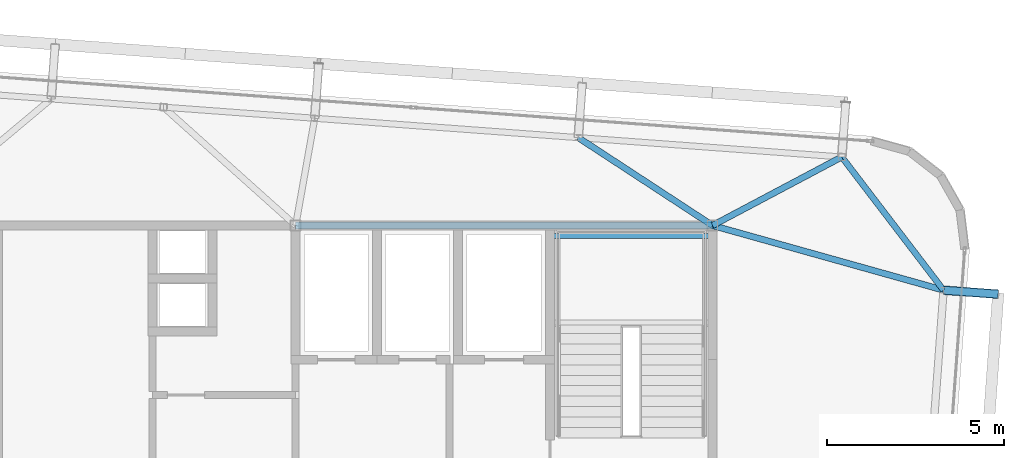
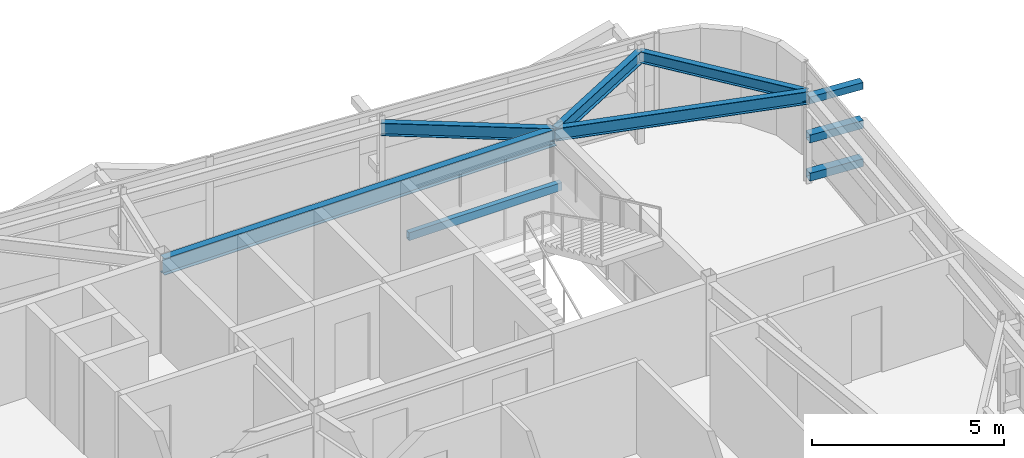
# One storey, part 18 of 34: 6 beams, 3 members.
"""IFC4 building model written with IfcOpenShell, lengths in metres."""

from ifc_helpers import new_model, si_unit, direction, frame, origin, origin_2d, place, context, subcontext, project, spatial, hollow_rectangle, i_section, extrude, source, transform, mapped, material, material_profile, profile_set, type_object, element, save


model = new_model("IFC4")

# Units and contexts
model_context = context("Model", 3, precision=1e-05, world=origin(), true_north=direction((0.0, 1.0)))
body_context = subcontext(model_context, "Body", "Model", "MODEL_VIEW")
ifc_project = project(units=[si_unit("LENGTHUNIT", "METRE"), si_unit("AREAUNIT", "SQUARE_METRE"), si_unit("VOLUMEUNIT", "CUBIC_METRE"), si_unit("PLANEANGLEUNIT", "RADIAN"), si_unit("MASSUNIT", "GRAM", prefix="KILO")], contexts=[model_context])

# Site, building, storey
site_placement = place(None, origin())
site = spatial("IfcSite", under=ifc_project, at=site_placement, CompositionType="ELEMENT")
building_placement = place(site_placement, origin())
building = spatial("IfcBuilding", under=site, at=building_placement, Name="Taldren Reach Tower", CompositionType="ELEMENT")
storey_placement = place(building_placement, frame((0.0, 0.0, 242.89990234375)))
storey = spatial("IfcBuildingStorey", under=building, at=storey_placement, Name="L74", CompositionType="ELEMENT", Elevation=242.89990234375)

# Beams
ifc_material_1 = material(Name="Steel Gr 350 (350PLUS)", Category="steel")
ifc_material_profile_1 = material_profile(ifc_material_1, i_section(OverallWidth=0.208984375, OverallDepth=0.532958984375, WebThickness=0.01025390625, FlangeThickness=0.015625, at=origin_2d()), Name="530UB92.4")
ifc_profile_set_1 = profile_set([ifc_material_profile_1], Name="Steel Gr 350 (350PLUS)")
beam_type_1 = type_object("IfcBeamType", Name="BM-UB530A", PredefinedType="BEAM", material=ifc_profile_set_1)
shared_shape_1 = source(origin(), body_context, "Body", "SweptSolid", [
    extrude(i_section(OverallWidth=0.208984375, OverallDepth=0.532958984375, WebThickness=0.01025390625, FlangeThickness=0.015625, at=origin_2d()), origin(), (0.0, 0.0, 1.0), 11.800048828125),
])
beam_1_placement = place(storey_placement, frame((39.199951171875, 32.0, 2.66357421875), z_axis=(1.0, 0.0, 0.0), x_axis=(0.0, 1.0, 0.0)))
element("IfcBeam", 1, at=beam_1_placement, inside=storey, type_object=beam_type_1, Name="Core-spine girder L74-SP06", PredefinedType="BEAM", context=body_context, shape_type="MappedRepresentation", body=[
    mapped(shared_shape_1, transform((0.0, 0.0, 0.0), scale=1.0)),
])
ifc_material_profile_2 = material_profile(ifc_material_1, i_section(OverallWidth=0.172119140625, OverallDepth=0.35888671875, WebThickness=0.008056640625, FlangeThickness=0.012939453125, at=origin_2d()), Name="360UB56.7")
ifc_profile_set_2 = profile_set([ifc_material_profile_2], Name="Steel Gr 350 (350PLUS)")
beam_type_2 = type_object("IfcBeamType", Name="SP-UB360", PredefinedType="SPANDREL", material=ifc_profile_set_2)
shared_shape_2 = source(origin(), body_context, "Body", "SweptSolid", [
    extrude(i_section(OverallWidth=0.172119140625, OverallDepth=0.35888671875, WebThickness=0.008056640625, FlangeThickness=0.012939453125, at=origin_2d()), origin(), (0.0, 0.0, 1.0), 4.745849609375),
])
beam_2_placement = place(storey_placement, frame((57.540771484375, 30.168701171875, 2.75048828125), z_axis=(-0.607136906115, 0.79459724215, 0.0), x_axis=(-0.79459724215, -0.607136906115, 0.0)))
element("IfcBeam", 2, at=beam_2_placement, inside=storey, type_object=beam_type_2, Name="Perimeter spandrel B5 E3-N6 L74", PredefinedType="SPANDREL", context=body_context, shape_type="MappedRepresentation", body=[
    mapped(shared_shape_2, transform((0.0, 0.0, 0.0), scale=1.0)),
])
ifc_material_profile_3 = material_profile(ifc_material_1, i_section(OverallWidth=0.177978515625, OverallDepth=0.406005859375, WebThickness=0.0078125, FlangeThickness=0.0126953125, at=origin_2d()), Name="410UB59.7")
ifc_profile_set_3 = profile_set([ifc_material_profile_3], Name="Steel Gr 350 (350PLUS)")
beam_type_3 = type_object("IfcBeamType", Name="BM-UB410", PredefinedType="BEAM", material=ifc_profile_set_3)
shared_shape_3 = source(origin(), body_context, "Body", "SweptSolid", [
    extrude(i_section(OverallWidth=0.177978515625, OverallDepth=0.406005859375, WebThickness=0.0078125, FlangeThickness=0.0126953125, at=origin_2d()), origin(), (0.0, 0.0, 1.0), 6.792236328125),
])
beam_3_placement = place(storey_placement, frame((51.0, 32.0, 2.72705078125), z_axis=(0.962968499215, -0.269613926789, 0.0), x_axis=(0.269613926789, 0.962968499215, 0.0)))
element("IfcBeam", 3, at=beam_3_placement, inside=storey, type_object=beam_type_3, Name="Primary floor girder B5-E3 L74", PredefinedType="BEAM", context=body_context, shape_type="MappedRepresentation", body=[
    mapped(shared_shape_3, transform((0.0, 0.0, 0.0), scale=1.0)),
])
shared_shape_4 = source(origin(), body_context, "Body", "SweptSolid", [
    extrude(i_section(OverallWidth=0.177978515625, OverallDepth=0.406005859375, WebThickness=0.0078125, FlangeThickness=0.0126953125, at=origin_2d()), origin(), (0.0, 0.0, 1.0), 4.1416015625),
])
beam_4_placement = place(storey_placement, frame((51.0, 32.0, 2.72705078125), z_axis=(0.883552655042, 0.468331832965, 0.0), x_axis=(-0.468331832965, 0.883552655042, 0.0)))
element("IfcBeam", 4, at=beam_4_placement, inside=storey, type_object=beam_type_3, Name="Primary floor girder B5-N6 L74", PredefinedType="BEAM", context=body_context, shape_type="MappedRepresentation", body=[
    mapped(shared_shape_4, transform((0.0, 0.0, 0.0), scale=1.0)),
])
shared_shape_5 = source(origin(), body_context, "Body", "SweptSolid", [
    extrude(i_section(OverallWidth=0.177978515625, OverallDepth=0.406005859375, WebThickness=0.0078125, FlangeThickness=0.0126953125, at=origin_2d()), origin(), (0.0, 0.0, 1.0), 4.542236328125),
])
beam_5_placement = place(storey_placement, frame((51.0, 32.0, 2.72705078125), z_axis=(-0.836709129479, 0.547647544181, 0.0), x_axis=(-0.547647544181, -0.836709129479, 0.0)))
element("IfcBeam", 5, at=beam_5_placement, inside=storey, type_object=beam_type_3, Name="Primary floor girder B5-N5 L74", PredefinedType="BEAM", context=body_context, shape_type="MappedRepresentation", body=[
    mapped(shared_shape_5, transform((0.0, 0.0, 0.0), scale=1.0)),
])

# Members
ifc_material_2 = material(Name="Steel Gr 450 (C450L0)", Category="steel")
ifc_material_profile_4 = material_profile(ifc_material_2, hollow_rectangle(XDim=0.219970703125, YDim=0.219970703125, WallThickness=0.00830078125, at=origin_2d()), Name="220x220x8.2SHS")
ifc_profile_set_4 = profile_set([ifc_material_profile_4], Name="Steel Gr 450 (C450L0)")
member_type_1 = type_object("IfcMemberType", Name="MB-TIE219", PredefinedType="STRUT", material=ifc_profile_set_4)
shared_shape_6 = source(origin(), body_context, "Body", "SweptSolid", [
    extrude(hollow_rectangle(XDim=0.219970703125, YDim=0.219970703125, WallThickness=0.00830078125, at=origin_2d()), origin(), (0.0, 0.0, 1.0), 1.5458984375),
])
member_placement = place(storey_placement, frame((57.544921875, 30.168212890625, 2.650146484375), z_axis=(0.99732305975, -0.073121231459, 0.0), x_axis=(0.073121231459, 0.99732305975, 0.0)))
element("IfcMember", 6, at=member_placement, inside=storey, type_object=member_type_1, Name="Exoskeleton diaphragm tie strut B5-E3 L74", PredefinedType="STRUT", context=body_context, shape_type="MappedRepresentation", body=[
    mapped(shared_shape_6, transform((0.0, 0.0, 0.0), scale=1.0)),
])
ifc_material_3 = material(Name="Steel Gr 350 (C350L0)", Category="steel")
ifc_material_profile_5 = material_profile(ifc_material_3, hollow_rectangle(XDim=0.25, YDim=0.25, WallThickness=0.010009765625, at=origin_2d()), Name="250x250x10.0SHS")
ifc_profile_set_5 = profile_set([ifc_material_profile_5], Name="Steel Gr 350 (C350L0)")
member_type_2 = type_object("IfcMemberType", Name="MB-POST250", PredefinedType="POST", material=ifc_profile_set_5)
shared_shape_7 = source(origin(), body_context, "Body", "SweptSolid", [
    extrude(hollow_rectangle(XDim=0.25, YDim=0.25, WallThickness=0.010009765625, at=origin_2d()), origin(), (0.0, 0.0, 1.0), 1.5458984375),
])
for number, where, z_axis, x_axis, name in (
    (7, (57.544921875, 30.168212890625, 0.22021484375), (0.99732305975, -0.073121231459, 0.0), (0.073121231459, 0.99732305975, 0.0), "Exoskeleton base diaphragm tie strut B5-E3 L74"),
    (8, (57.544921875, 30.168212890625, 1.43505859375), (0.99732305975, -0.073121231459, 0.0), (0.073121231459, 0.99732305975, 0.0), "Exoskeleton mid-tier diaphragm tie B5-E3 L74"),
):
    element("IfcMember", number, at=place(storey_placement, frame(where, z_axis=z_axis, x_axis=x_axis)), inside=storey, type_object=member_type_2, Name=name, PredefinedType="POST", context=body_context, shape_type="MappedRepresentation", body=[
        mapped(shared_shape_7, transform((0.0, 0.0, 0.0), scale=1.0)),
    ])

# Beam
ifc_material_profile_6 = material_profile(ifc_material_3, hollow_rectangle(XDim=0.14990234375, YDim=0.25, WallThickness=0.009033203125, at=origin_2d()), Name="250x150x9.0RHS")
ifc_profile_set_6 = profile_set([ifc_material_profile_6], Name="Steel Gr 350 (C350L0)")
beam_type_4 = type_object("IfcBeamType", Name="LN-RHS250", PredefinedType="LINTEL", material=ifc_profile_set_6)
shared_shape_8 = source(origin(), body_context, "Body", "SweptSolid", [
    extrude(hollow_rectangle(XDim=0.14990234375, YDim=0.25, WallThickness=0.009033203125, at=origin_2d()), origin(), (0.0, 0.0, 1.0), 4.60009765625),
])
beam_6_placement = place(storey_placement, frame((46.39990234375, 31.699951171875, 1.27001953125), z_axis=(1.0, 0.0, 0.0), x_axis=(0.0, 1.0, 0.0)))
element("IfcBeam", 9, at=beam_6_placement, inside=storey, type_object=beam_type_4, Name="Stair half-landing support beam ST2-L74-2", PredefinedType="LINTEL", context=body_context, shape_type="MappedRepresentation", body=[
    mapped(shared_shape_8, transform((0.0, 0.0, 0.0), scale=1.0)),
])

save(model, "model.ifc")
